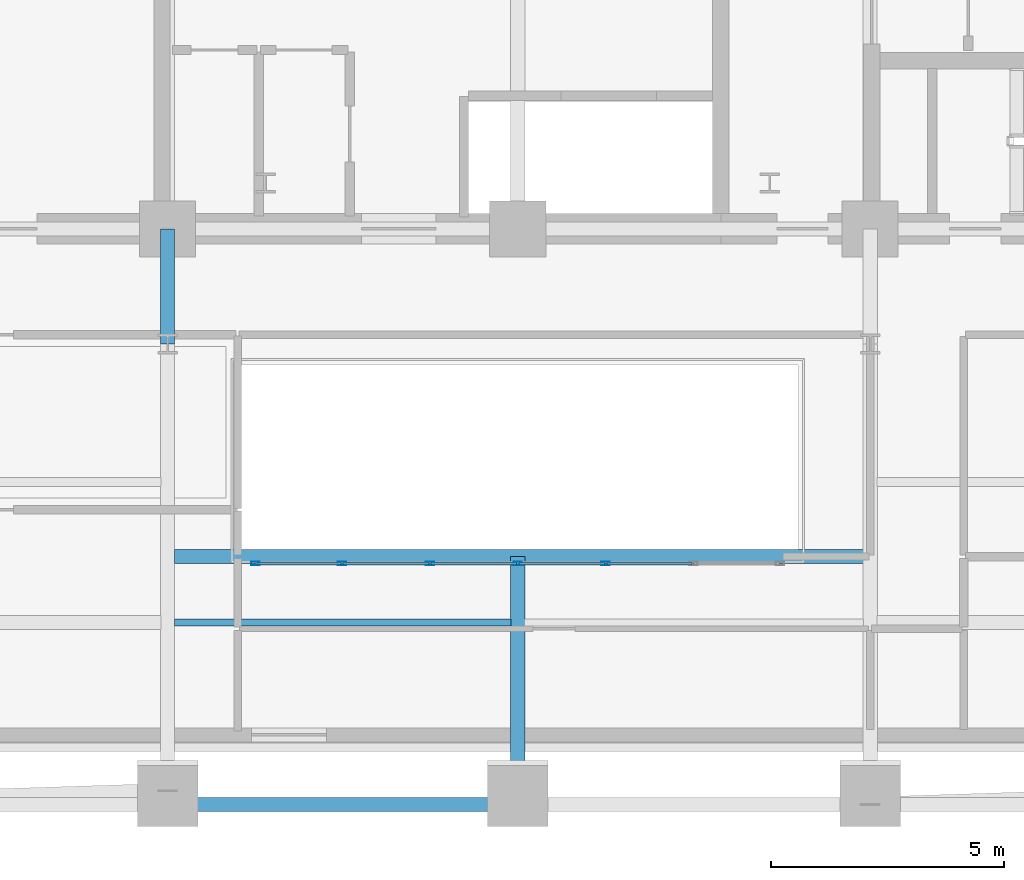
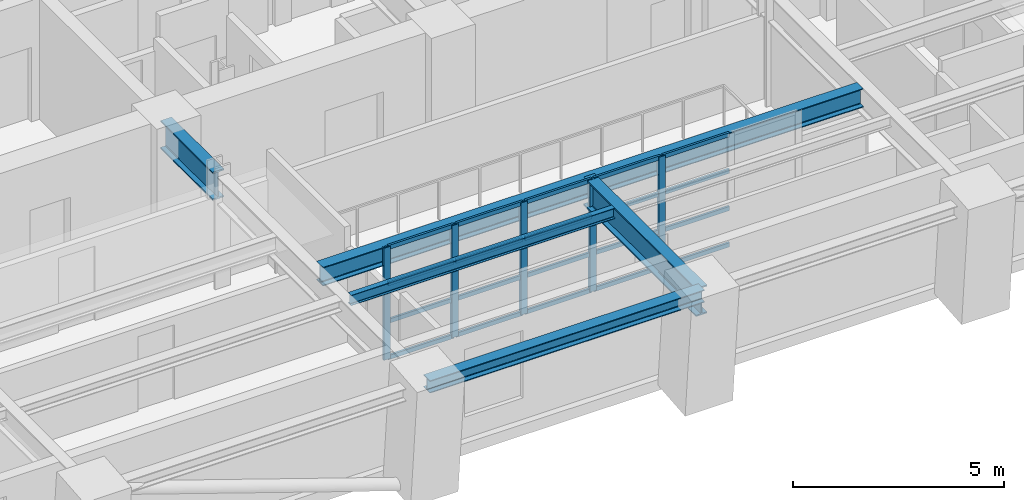
# One storey, part 2 of 15: 25 members, 5 beams, 1 element without a shape of its own.
"""IFC4 building model written with IfcOpenShell, lengths in metres."""

import ifcopenshell
import ifcopenshell.guid

model = None  # the IFC model being written
_history = None  # IfcOwnerHistory: only IFC2X3 demands one
_inside = {}  # id of a spatial element -> (the spatial element, [elements in it])
_under = {}  # id of a project, library or spatial element -> (it, [spatial elements below it])
_declared = {}  # id of a project -> (the project, [libraries it declares])
_typed = {}  # id of a type object -> (the type object, [elements of that type])
_made_of = {}  # id of a material, layer set ... -> (it, [elements and type objects made of it])


def new_model(schema):
    """Start an empty IFC model of exactly this schema.

    Asked for "IFC4X3", IfcOpenShell would pick the latest addendum, in which some entities
    have other attributes; the version numbers below select the first issue.
    IFC2X3 requires an IfcOwnerHistory on every rooted entity: one is made here for all.
    """
    global model, _history
    if schema == "IFC4X3":
        model = ifcopenshell.file(schema_version=(4, 3, 0, 0))
    else:
        model = ifcopenshell.file(schema=schema)
    _inside.clear()
    _under.clear()
    _declared.clear()
    _typed.clear()
    _made_of.clear()
    _history = None
    if model.schema == "IFC2X3":
        org = make("IfcOrganization", Name="unknown")
        user = make(
            "IfcPersonAndOrganization",
            ThePerson=make("IfcPerson", FamilyName="unknown"),
            TheOrganization=org,
        )
        app = make(
            "IfcApplication",
            ApplicationDeveloper=org,
            Version="unknown",
            ApplicationFullName="unknown",
            ApplicationIdentifier="unknown",
        )
        _history = make(
            "IfcOwnerHistory",
            OwningUser=user,
            OwningApplication=app,
            ChangeAction="ADDED",
            CreationDate=0,
        )
    return model


def make(cls, **values):
    """One entity of the class cls with the attributes given. An attribute that is None is left unset."""
    return model.create_entity(
        cls, **{name: value for name, value in values.items() if value is not None}
    )


def rooted(cls, **values):
    """An entity with a GlobalId (a new one), such as an element, a storey or a relation."""
    return make(cls, GlobalId=ifcopenshell.guid.new(), OwnerHistory=_history, **values)


def si_unit(unit_type, name, prefix=None):
    """IfcSIUnit, for example si_unit("LENGTHUNIT", "METRE", prefix="MILLI")."""
    return make("IfcSIUnit", UnitType=unit_type, Prefix=prefix, Name=name)


def assignment(units):
    """IfcUnitAssignment: the units of a project."""
    return None if units is None else make("IfcUnitAssignment", Units=units)


def point(xyz):
    """IfcCartesianPoint."""
    return None if xyz is None else make("IfcCartesianPoint", Coordinates=xyz)


def direction(xyz):
    """IfcDirection."""
    return None if xyz is None else make("IfcDirection", DirectionRatios=xyz)


def frame(location, z_axis=None, x_axis=None):
    """IfcAxis2Placement3D, a coordinate frame: its origin and axes. An axis left out is left unset."""
    return make(
        "IfcAxis2Placement3D",
        Location=point(location),
        Axis=direction(z_axis),
        RefDirection=direction(x_axis),
    )


def frame_2d(location, x_axis=None):
    """IfcAxis2Placement2D, a coordinate frame in the plane: its origin and x axis."""
    return make(
        "IfcAxis2Placement2D", Location=point(location), RefDirection=direction(x_axis)
    )


def origin():
    """The frame at (0, 0, 0) with its axes left unset."""
    return frame((0.0, 0.0, 0.0))


def origin_2d():
    """The frame at (0, 0) in the plane with its x axis left unset."""
    return frame_2d((0.0, 0.0))


def place(relative_to, where):
    """IfcLocalPlacement: puts the frame where relative to a parent placement (None: the world)."""
    return make(
        "IfcLocalPlacement", PlacementRelTo=relative_to, RelativePlacement=where
    )


def context(
    kind, dimensions, precision=None, world=None, true_north=None, identifier=None
):
    """IfcGeometricRepresentationContext, for example the 3D "Model" context."""
    return make(
        "IfcGeometricRepresentationContext",
        ContextIdentifier=identifier,
        ContextType=kind,
        CoordinateSpaceDimension=dimensions,
        Precision=precision,
        WorldCoordinateSystem=world,
        TrueNorth=true_north,
    )


def subcontext(parent, identifier, kind, view, scale=None):
    """IfcGeometricRepresentationSubContext, for example "Body" below "Model"."""
    return make(
        "IfcGeometricRepresentationSubContext",
        ContextIdentifier=identifier,
        ContextType=kind,
        ParentContext=parent,
        TargetScale=scale,
        TargetView=view,
    )


def project(units=None, contexts=None):
    """IfcProject with its units and contexts."""
    return rooted(
        "IfcProject",
        Name="project",
        RepresentationContexts=contexts,
        UnitsInContext=assignment(units),
    )


def spatial(cls, under=None, at=None, **own):
    """A site, building, storey or space (cls), placed at a placement, below another one or the project."""
    s = rooted(cls, ObjectPlacement=at, **own)
    if under is not None:
        _under.setdefault(under.id(), (under, []))[1].append(s)
    return s


def profile(cls, at=None, kind="AREA", **sizes):
    """A parametric profile (cls). Its sizes go by their IFC names, for example OverallWidth=200.0."""
    return make(cls, ProfileType=kind, Position=at, **sizes)


def hollow_rectangle(**sizes):
    """IfcRectangleHollowProfileDef."""
    return profile("IfcRectangleHollowProfileDef", **sizes)


def i_section(**sizes):
    """IfcIShapeProfileDef."""
    return profile("IfcIShapeProfileDef", **sizes)


def extrude(swept, where, along, depth):
    """IfcExtrudedAreaSolid: the profile swept, set in the frame where, extruded along a direction by depth."""
    return make(
        "IfcExtrudedAreaSolid",
        SweptArea=swept,
        Position=where,
        ExtrudedDirection=direction(along),
        Depth=depth,
    )


def shape(context_of_items, identifier, shape_type, items):
    """IfcShapeRepresentation: the items that make up one representation, for example the "Body"."""
    return make(
        "IfcShapeRepresentation",
        ContextOfItems=context_of_items,
        RepresentationIdentifier=identifier,
        RepresentationType=shape_type,
        Items=items,
    )


def material(Name=None, Category=None):
    """IfcMaterial."""
    return make("IfcMaterial", Name=Name, Category=Category)


def layer(
    of_material, thickness, ventilated=None, Name=None, Category=None, Priority=None
):
    """IfcMaterialLayer: one layer of a wall or slab, of a material (None: an air gap)."""
    return make(
        "IfcMaterialLayer",
        Material=of_material,
        LayerThickness=thickness,
        IsVentilated=ventilated,
        Name=Name,
        Category=Category,
        Priority=Priority,
    )


def layer_set(layers, Name=None):
    """IfcMaterialLayerSet."""
    return make("IfcMaterialLayerSet", MaterialLayers=layers, LayerSetName=Name)


def material_profile(
    of_material, cross_section, Name=None, Category=None, Priority=None
):
    """IfcMaterialProfile: a cross section and its material."""
    return make(
        "IfcMaterialProfile",
        Name=Name,
        Material=of_material,
        Profile=cross_section,
        Priority=Priority,
        Category=Category,
    )


def profile_set(profiles, Name=None, composite=None):
    """IfcMaterialProfileSet."""
    return make(
        "IfcMaterialProfileSet",
        Name=Name,
        MaterialProfiles=profiles,
        CompositeProfile=composite,
    )


def made_of(thing, what):
    """Note that an element or type object is made of a material, layer set ...; save() writes the relation."""
    if what is not None:
        _made_of.setdefault(what.id(), (what, []))[1].append(thing)
    return thing


def type_object(cls, material=None, **own):
    """A type object (cls), such as IfcWallType, which elements share."""
    return made_of(rooted(cls, **own), material)


def element(
    cls,
    number,
    at=None,
    inside=None,
    cuts=None,
    type_object=None,
    material=None,
    context=None,
    identifier="Body",
    shape_type=None,
    held_by="IfcProductDefinitionShape",
    body=None,
    shapes=None,
    **own,
):
    """One element of the class cls, such as IfcWall. Its Tag is "e" and its number.

    at: its placement. inside: the storey or other place that contains it. cuts: it is an
    opening in that element (IfcRelVoidsElement). A single representation is given by context,
    identifier, shape_type and body (its items); several are given by shapes. held_by: the class
    of the entity that holds the representations. save() writes the other relations.
    """
    e = rooted(cls, Tag="e%d" % number, ObjectPlacement=at, **own)
    if body is not None:
        shapes = [shape(context, identifier, shape_type, body)]
    if shapes is not None:
        e.Representation = make(held_by, Representations=shapes)
    if inside is not None:
        _inside.setdefault(inside.id(), (inside, []))[1].append(e)
    if cuts is not None:
        rooted(
            "IfcRelVoidsElement", RelatingBuildingElement=cuts, RelatedOpeningElement=e
        )
    if type_object is not None:
        _typed.setdefault(type_object.id(), (type_object, []))[1].append(e)
    return made_of(e, material)


def aggregate(whole, parts):
    """IfcRelAggregates: a whole, such as a stair, and the parts it consists of."""
    return rooted("IfcRelAggregates", RelatingObject=whole, RelatedObjects=parts)


def save(model, path):
    """Write the relations noted so far, then the file.

    IfcRelAggregates (storeys below a building ...), IfcRelContainedInSpatialStructure (elements
    in a storey), IfcRelDefinesByType, IfcRelAssociatesMaterial and IfcRelDeclares: one each for
    every whole, place, type object, material and project.
    """
    for whole, parts in _under.values():
        aggregate(whole, parts)
    for where, things in _inside.values():
        rooted(
            "IfcRelContainedInSpatialStructure",
            RelatedElements=things,
            RelatingStructure=where,
        )
    for kind, things in _typed.values():
        rooted("IfcRelDefinesByType", RelatedObjects=things, RelatingType=kind)
    for what, things in _made_of.values():
        rooted("IfcRelAssociatesMaterial", RelatedObjects=things, RelatingMaterial=what)
    for by, libraries in _declared.values():
        rooted("IfcRelDeclares", RelatingContext=by, RelatedDefinitions=libraries)
    model.write(path)


model = new_model("IFC4")

# Units and contexts
model_context = context("Model", 3, precision=1e-05, world=origin(), true_north=direction((0.0, 1.0)))
body_context = subcontext(model_context, "Body", "Model", "MODEL_VIEW")
ifc_project = project(units=[si_unit("LENGTHUNIT", "METRE"), si_unit("AREAUNIT", "SQUARE_METRE"), si_unit("VOLUMEUNIT", "CUBIC_METRE"), si_unit("PLANEANGLEUNIT", "RADIAN"), si_unit("MASSUNIT", "GRAM", prefix="KILO")], contexts=[model_context])

# Site, building, storey
site_placement = place(None, origin())
site = spatial("IfcSite", under=ifc_project, at=site_placement, CompositionType="ELEMENT")
building_placement = place(site_placement, origin())
building = spatial("IfcBuilding", under=site, at=building_placement, Name="Zarnavel Station Tower", CompositionType="ELEMENT")
storey_placement = place(building_placement, frame((0.0, 0.0, 115.300048828125)))
storey = spatial("IfcBuildingStorey", under=building, at=storey_placement, Name="L31", CompositionType="ELEMENT", Elevation=115.300048828125)

# Curtain wall, members
ifc_material_1 = material(Name="Aluminium Dark Anodised and Solar-Control Glass", Category="aluminium")
ifc_layer = layer(ifc_material_1, 0.179931640625)
ifc_layer_set = layer_set([ifc_layer], Name="CWS3")
curtain_wall_type = type_object("IfcCurtainWallType", Name="CWS3", PredefinedType="NOTDEFINED", material=ifc_layer_set)
curtain_wall_placement = place(storey_placement, origin())
curtain_wall = element("IfcCurtainWall", 1, at=curtain_wall_placement, inside=storey, type_object=curtain_wall_type, Name="L31 Curtain Wall CWS3-L31-AS", PredefinedType="NOTDEFINED")
ifc_material_2 = material(Name="Steel S355J2 (Black Fluoropolymer Coated)", Category="steel")
ifc_material_profile_1 = material_profile(ifc_material_2, hollow_rectangle(XDim=0.080078125, YDim=0.179931640625, WallThickness=0.00634765625, at=origin_2d()), Name="RHS180x80x6.3")
ifc_profile_set_1 = profile_set([ifc_material_profile_1], Name="Steel S355J2 (Black Fluoropolymer Coated)")
member_type_1 = type_object("IfcMemberType", Name="CWS3_MUL", PredefinedType="MULLION", material=ifc_profile_set_1)
member_1_placement = place(storey_placement, frame((23.179931640625, 20.64990234375, 0.0), z_axis=(0.0, 0.0, 1.0), x_axis=(0.0, 1.0, 0.0)))
member_1 = element("IfcMember", 2, at=member_1_placement, type_object=member_type_1, Name="CW3 mullion 1", PredefinedType="MULLION", context=body_context, shape_type="SweptSolid", body=[
    extrude(hollow_rectangle(XDim=0.080078125, YDim=0.179931640625, WallThickness=0.00634765625, at=origin_2d()), origin(), (0.0, 0.0, 1.0), 3.239990234375),
])
member_2_placement = place(storey_placement, frame((25.033447265625, 20.64990234375, 0.0), z_axis=(0.0, 0.0, 1.0), x_axis=(0.0, 1.0, 0.0)))
member_2 = element("IfcMember", 3, at=member_2_placement, type_object=member_type_1, Name="CW3 mullion 2", PredefinedType="MULLION", context=body_context, shape_type="SweptSolid", body=[
    extrude(hollow_rectangle(XDim=0.080078125, YDim=0.179931640625, WallThickness=0.00634765625, at=origin_2d()), origin(), (0.0, 0.0, 1.0), 3.239990234375),
])
member_3_placement = place(storey_placement, frame((26.916748046875, 20.64990234375, 0.0), z_axis=(0.0, 0.0, 1.0), x_axis=(0.0, 1.0, 0.0)))
member_3 = element("IfcMember", 4, at=member_3_placement, type_object=member_type_1, Name="CW3 mullion 3", PredefinedType="MULLION", context=body_context, shape_type="SweptSolid", body=[
    extrude(hollow_rectangle(XDim=0.080078125, YDim=0.179931640625, WallThickness=0.00634765625, at=origin_2d()), origin(), (0.0, 0.0, 1.0), 3.239990234375),
])
member_4_placement = place(storey_placement, frame((28.800048828125, 20.64990234375, 0.0), z_axis=(0.0, 0.0, 1.0), x_axis=(0.0, 1.0, 0.0)))
member_4 = element("IfcMember", 5, at=member_4_placement, type_object=member_type_1, Name="CW3 mullion 4", PredefinedType="MULLION", context=body_context, shape_type="SweptSolid", body=[
    extrude(hollow_rectangle(XDim=0.080078125, YDim=0.179931640625, WallThickness=0.00634765625, at=origin_2d()), origin(), (0.0, 0.0, 1.0), 3.239990234375),
])
member_5_placement = place(storey_placement, frame((30.683349609375, 20.64990234375, 0.0), z_axis=(0.0, 0.0, 1.0), x_axis=(0.0, 1.0, 0.0)))
member_5 = element("IfcMember", 6, at=member_5_placement, type_object=member_type_1, Name="CW3 mullion 5", PredefinedType="MULLION", context=body_context, shape_type="SweptSolid", body=[
    extrude(hollow_rectangle(XDim=0.080078125, YDim=0.179931640625, WallThickness=0.00634765625, at=origin_2d()), origin(), (0.0, 0.0, 1.0), 3.239990234375),
])
ifc_material_3 = material(Name="Steel S355J2 (Black Fluoropolymer Coated)", Category="steel")
ifc_material_profile_2 = material_profile(ifc_material_3, hollow_rectangle(XDim=0.06005859375, YDim=0.1201171875, WallThickness=0.0048828125, at=origin_2d()), Name="RHS120x60x5")
ifc_profile_set_2 = profile_set([ifc_material_profile_2], Name="Steel S355J2 (Black Fluoropolymer Coated)")
member_type_2 = type_object("IfcMemberType", Name="CWS3_TRN", PredefinedType="USERDEFINED", material=ifc_profile_set_2)
member_6_placement = place(storey_placement, frame((23.2099609375, 20.64990234375, 0.030029296875), z_axis=(1.0, 0.0, 0.0), x_axis=(0.0, 1.0, 0.0)))
member_6 = element("IfcMember", 7, at=member_6_placement, type_object=member_type_2, Name="CW3 transom 1.1", ObjectType="TRANSOM", PredefinedType="USERDEFINED", context=body_context, shape_type="SweptSolid", body=[
    extrude(hollow_rectangle(XDim=0.06005859375, YDim=0.1201171875, WallThickness=0.0048828125, at=origin_2d()), origin(), (0.0, 0.0, 1.0), 1.79345703125),
])
member_7_placement = place(storey_placement, frame((23.2099609375, 20.64990234375, 1.079833984375), z_axis=(1.0, 0.0, 0.0), x_axis=(0.0, 1.0, 0.0)))
member_7 = element("IfcMember", 8, at=member_7_placement, type_object=member_type_2, Name="CW3 transom 1.2", ObjectType="TRANSOM", PredefinedType="USERDEFINED", context=body_context, shape_type="SweptSolid", body=[
    extrude(hollow_rectangle(XDim=0.06005859375, YDim=0.1201171875, WallThickness=0.0048828125, at=origin_2d()), origin(), (0.0, 0.0, 1.0), 1.79345703125),
])
member_8_placement = place(storey_placement, frame((23.2099609375, 20.64990234375, 2.159912109375), z_axis=(1.0, 0.0, 0.0), x_axis=(0.0, 1.0, 0.0)))
member_8 = element("IfcMember", 9, at=member_8_placement, type_object=member_type_2, Name="CW3 transom 1.3", ObjectType="TRANSOM", PredefinedType="USERDEFINED", context=body_context, shape_type="SweptSolid", body=[
    extrude(hollow_rectangle(XDim=0.06005859375, YDim=0.1201171875, WallThickness=0.0048828125, at=origin_2d()), origin(), (0.0, 0.0, 1.0), 1.79345703125),
])
member_9_placement = place(storey_placement, frame((23.2099609375, 20.64990234375, 3.2099609375), z_axis=(1.0, 0.0, 0.0), x_axis=(0.0, 1.0, 0.0)))
member_9 = element("IfcMember", 10, at=member_9_placement, type_object=member_type_2, Name="CW3 transom 1.4", ObjectType="TRANSOM", PredefinedType="USERDEFINED", context=body_context, shape_type="SweptSolid", body=[
    extrude(hollow_rectangle(XDim=0.06005859375, YDim=0.1201171875, WallThickness=0.0048828125, at=origin_2d()), origin(), (0.0, 0.0, 1.0), 1.79345703125),
])
member_10_placement = place(storey_placement, frame((25.063232421875, 20.64990234375, 0.030029296875), z_axis=(1.0, 0.0, 0.0), x_axis=(0.0, 1.0, 0.0)))
member_10 = element("IfcMember", 11, at=member_10_placement, type_object=member_type_2, Name="CW3 transom 2.1", ObjectType="TRANSOM", PredefinedType="USERDEFINED", context=body_context, shape_type="SweptSolid", body=[
    extrude(hollow_rectangle(XDim=0.06005859375, YDim=0.1201171875, WallThickness=0.0048828125, at=origin_2d()), origin(), (0.0, 0.0, 1.0), 1.823486328125),
])
member_11_placement = place(storey_placement, frame((25.063232421875, 20.64990234375, 1.079833984375), z_axis=(1.0, 0.0, 0.0), x_axis=(0.0, 1.0, 0.0)))
member_11 = element("IfcMember", 12, at=member_11_placement, type_object=member_type_2, Name="CW3 transom 2.2", ObjectType="TRANSOM", PredefinedType="USERDEFINED", context=body_context, shape_type="SweptSolid", body=[
    extrude(hollow_rectangle(XDim=0.06005859375, YDim=0.1201171875, WallThickness=0.0048828125, at=origin_2d()), origin(), (0.0, 0.0, 1.0), 1.823486328125),
])
member_12_placement = place(storey_placement, frame((25.063232421875, 20.64990234375, 2.159912109375), z_axis=(1.0, 0.0, 0.0), x_axis=(0.0, 1.0, 0.0)))
member_12 = element("IfcMember", 13, at=member_12_placement, type_object=member_type_2, Name="CW3 transom 2.3", ObjectType="TRANSOM", PredefinedType="USERDEFINED", context=body_context, shape_type="SweptSolid", body=[
    extrude(hollow_rectangle(XDim=0.06005859375, YDim=0.1201171875, WallThickness=0.0048828125, at=origin_2d()), origin(), (0.0, 0.0, 1.0), 1.823486328125),
])
member_13_placement = place(storey_placement, frame((25.063232421875, 20.64990234375, 3.2099609375), z_axis=(1.0, 0.0, 0.0), x_axis=(0.0, 1.0, 0.0)))
member_13 = element("IfcMember", 14, at=member_13_placement, type_object=member_type_2, Name="CW3 transom 2.4", ObjectType="TRANSOM", PredefinedType="USERDEFINED", context=body_context, shape_type="SweptSolid", body=[
    extrude(hollow_rectangle(XDim=0.06005859375, YDim=0.1201171875, WallThickness=0.0048828125, at=origin_2d()), origin(), (0.0, 0.0, 1.0), 1.823486328125),
])
member_14_placement = place(storey_placement, frame((26.94677734375, 20.64990234375, 0.030029296875), z_axis=(1.0, 0.0, 0.0), x_axis=(0.0, 1.0, 0.0)))
member_14 = element("IfcMember", 15, at=member_14_placement, type_object=member_type_2, Name="CW3 transom 3.1", ObjectType="TRANSOM", PredefinedType="USERDEFINED", context=body_context, shape_type="SweptSolid", body=[
    extrude(hollow_rectangle(XDim=0.06005859375, YDim=0.1201171875, WallThickness=0.0048828125, at=origin_2d()), origin(), (0.0, 0.0, 1.0), 1.8232421875),
])
member_15_placement = place(storey_placement, frame((26.94677734375, 20.64990234375, 1.079833984375), z_axis=(1.0, 0.0, 0.0), x_axis=(0.0, 1.0, 0.0)))
member_15 = element("IfcMember", 16, at=member_15_placement, type_object=member_type_2, Name="CW3 transom 3.2", ObjectType="TRANSOM", PredefinedType="USERDEFINED", context=body_context, shape_type="SweptSolid", body=[
    extrude(hollow_rectangle(XDim=0.06005859375, YDim=0.1201171875, WallThickness=0.0048828125, at=origin_2d()), origin(), (0.0, 0.0, 1.0), 1.8232421875),
])
member_16_placement = place(storey_placement, frame((26.94677734375, 20.64990234375, 2.159912109375), z_axis=(1.0, 0.0, 0.0), x_axis=(0.0, 1.0, 0.0)))
member_16 = element("IfcMember", 17, at=member_16_placement, type_object=member_type_2, Name="CW3 transom 3.3", ObjectType="TRANSOM", PredefinedType="USERDEFINED", context=body_context, shape_type="SweptSolid", body=[
    extrude(hollow_rectangle(XDim=0.06005859375, YDim=0.1201171875, WallThickness=0.0048828125, at=origin_2d()), origin(), (0.0, 0.0, 1.0), 1.8232421875),
])
member_17_placement = place(storey_placement, frame((26.94677734375, 20.64990234375, 3.2099609375), z_axis=(1.0, 0.0, 0.0), x_axis=(0.0, 1.0, 0.0)))
member_17 = element("IfcMember", 18, at=member_17_placement, type_object=member_type_2, Name="CW3 transom 3.4", ObjectType="TRANSOM", PredefinedType="USERDEFINED", context=body_context, shape_type="SweptSolid", body=[
    extrude(hollow_rectangle(XDim=0.06005859375, YDim=0.1201171875, WallThickness=0.0048828125, at=origin_2d()), origin(), (0.0, 0.0, 1.0), 1.8232421875),
])
member_18_placement = place(storey_placement, frame((28.830078125, 20.64990234375, 0.030029296875), z_axis=(1.0, 0.0, 0.0), x_axis=(0.0, 1.0, 0.0)))
member_18 = element("IfcMember", 19, at=member_18_placement, type_object=member_type_2, Name="CW3 transom 4.1", ObjectType="TRANSOM", PredefinedType="USERDEFINED", context=body_context, shape_type="SweptSolid", body=[
    extrude(hollow_rectangle(XDim=0.06005859375, YDim=0.1201171875, WallThickness=0.0048828125, at=origin_2d()), origin(), (0.0, 0.0, 1.0), 1.8232421875),
])
member_19_placement = place(storey_placement, frame((28.830078125, 20.64990234375, 1.079833984375), z_axis=(1.0, 0.0, 0.0), x_axis=(0.0, 1.0, 0.0)))
member_19 = element("IfcMember", 20, at=member_19_placement, type_object=member_type_2, Name="CW3 transom 4.2", ObjectType="TRANSOM", PredefinedType="USERDEFINED", context=body_context, shape_type="SweptSolid", body=[
    extrude(hollow_rectangle(XDim=0.06005859375, YDim=0.1201171875, WallThickness=0.0048828125, at=origin_2d()), origin(), (0.0, 0.0, 1.0), 1.8232421875),
])
member_20_placement = place(storey_placement, frame((28.830078125, 20.64990234375, 2.159912109375), z_axis=(1.0, 0.0, 0.0), x_axis=(0.0, 1.0, 0.0)))
member_20 = element("IfcMember", 21, at=member_20_placement, type_object=member_type_2, Name="CW3 transom 4.3", ObjectType="TRANSOM", PredefinedType="USERDEFINED", context=body_context, shape_type="SweptSolid", body=[
    extrude(hollow_rectangle(XDim=0.06005859375, YDim=0.1201171875, WallThickness=0.0048828125, at=origin_2d()), origin(), (0.0, 0.0, 1.0), 1.8232421875),
])
member_21_placement = place(storey_placement, frame((28.830078125, 20.64990234375, 3.2099609375), z_axis=(1.0, 0.0, 0.0), x_axis=(0.0, 1.0, 0.0)))
member_21 = element("IfcMember", 22, at=member_21_placement, type_object=member_type_2, Name="CW3 transom 4.4", ObjectType="TRANSOM", PredefinedType="USERDEFINED", context=body_context, shape_type="SweptSolid", body=[
    extrude(hollow_rectangle(XDim=0.06005859375, YDim=0.1201171875, WallThickness=0.0048828125, at=origin_2d()), origin(), (0.0, 0.0, 1.0), 1.8232421875),
])
member_22_placement = place(storey_placement, frame((30.71337890625, 20.64990234375, 0.030029296875), z_axis=(1.0, 0.0, 0.0), x_axis=(0.0, 1.0, 0.0)))
member_22 = element("IfcMember", 23, at=member_22_placement, type_object=member_type_2, Name="CW3 transom 5.1", ObjectType="TRANSOM", PredefinedType="USERDEFINED", context=body_context, shape_type="SweptSolid", body=[
    extrude(hollow_rectangle(XDim=0.06005859375, YDim=0.1201171875, WallThickness=0.0048828125, at=origin_2d()), origin(), (0.0, 0.0, 1.0), 1.8232421875),
])
member_23_placement = place(storey_placement, frame((30.71337890625, 20.64990234375, 1.079833984375), z_axis=(1.0, 0.0, 0.0), x_axis=(0.0, 1.0, 0.0)))
member_23 = element("IfcMember", 24, at=member_23_placement, type_object=member_type_2, Name="CW3 transom 5.2", ObjectType="TRANSOM", PredefinedType="USERDEFINED", context=body_context, shape_type="SweptSolid", body=[
    extrude(hollow_rectangle(XDim=0.06005859375, YDim=0.1201171875, WallThickness=0.0048828125, at=origin_2d()), origin(), (0.0, 0.0, 1.0), 1.8232421875),
])
member_24_placement = place(storey_placement, frame((30.71337890625, 20.64990234375, 2.159912109375), z_axis=(1.0, 0.0, 0.0), x_axis=(0.0, 1.0, 0.0)))
member_24 = element("IfcMember", 25, at=member_24_placement, type_object=member_type_2, Name="CW3 transom 5.3", ObjectType="TRANSOM", PredefinedType="USERDEFINED", context=body_context, shape_type="SweptSolid", body=[
    extrude(hollow_rectangle(XDim=0.06005859375, YDim=0.1201171875, WallThickness=0.0048828125, at=origin_2d()), origin(), (0.0, 0.0, 1.0), 1.8232421875),
])
member_25_placement = place(storey_placement, frame((30.71337890625, 20.64990234375, 3.2099609375), z_axis=(1.0, 0.0, 0.0), x_axis=(0.0, 1.0, 0.0)))
member_25 = element("IfcMember", 26, at=member_25_placement, type_object=member_type_2, Name="CW3 transom 5.4", ObjectType="TRANSOM", PredefinedType="USERDEFINED", context=body_context, shape_type="SweptSolid", body=[
    extrude(hollow_rectangle(XDim=0.06005859375, YDim=0.1201171875, WallThickness=0.0048828125, at=origin_2d()), origin(), (0.0, 0.0, 1.0), 1.8232421875),
])
aggregate(curtain_wall, [member_1, member_2, member_3, member_4, member_5, member_6, member_7, member_8, member_9, member_10, member_11, member_12, member_13, member_14, member_15, member_16, member_17, member_18, member_19, member_20, member_21, member_22, member_23, member_24, member_25])

# Beams
ifc_material_4 = material(Name="Steel S355J2", Category="steel")
ifc_material_profile_3 = material_profile(ifc_material_4, i_section(OverallWidth=0.300048828125, OverallDepth=0.360107421875, WebThickness=0.012451171875, FlangeThickness=0.0224609375, FilletRadius=0.027099609375, at=origin_2d()), Name="HEB360")
ifc_profile_set_3 = profile_set([ifc_material_profile_3], Name="Steel S355J2")
beam_type_1 = type_object("IfcBeamType", Name="EB_HEB360", PredefinedType="SPANDREL", material=ifc_profile_set_3)
beam_1_placement = place(storey_placement, frame((21.300048828125, 15.48583984375, 3.06005859375), z_axis=(1.0, 0.0, 0.0), x_axis=(0.0, 1.0, 0.0)))
element("IfcBeam", 27, at=beam_1_placement, inside=storey, type_object=beam_type_1, Name="L31 South Raked Spandrel 2", PredefinedType="SPANDREL", context=body_context, shape_type="SweptSolid", body=[
    extrude(i_section(OverallWidth=0.300048828125, OverallDepth=0.360107421875, WebThickness=0.012451171875, FlangeThickness=0.0224609375, FilletRadius=0.027099609375, at=origin_2d()), origin(), (0.0, 0.0, 1.0), 7.5),
])
ifc_material_5 = material(Name="Steel S355J2", Category="steel")
ifc_material_profile_4 = material_profile(ifc_material_5, i_section(OverallWidth=0.300048828125, OverallDepth=0.5400390625, WebThickness=0.012451171875, FlangeThickness=0.02392578125, FilletRadius=0.027099609375, at=origin_2d()), Name="HEA550")
ifc_profile_set_4 = profile_set([ifc_material_profile_4], Name="Steel S355J2")
beam_type_2 = type_object("IfcBeamType", Name="FB_HEA550", PredefinedType="BEAM", material=ifc_profile_set_4)
beam_2_placement = place(storey_placement, frame((21.445068359375, 20.800048828125, 2.969970703125), z_axis=(1.0, 0.0, 0.0), x_axis=(0.0, 1.0, 0.0)))
element("IfcBeam", 28, at=beam_2_placement, inside=storey, type_object=beam_type_2, Name="L31 Atrium South Edge Girder", PredefinedType="BEAM", context=body_context, shape_type="SweptSolid", body=[
    extrude(i_section(OverallWidth=0.300048828125, OverallDepth=0.5400390625, WebThickness=0.012451171875, FlangeThickness=0.02392578125, FilletRadius=0.027099609375, at=origin_2d()), origin(), (0.0, 0.0, 1.0), 14.760009765625),
])
ifc_material_6 = material(Name="Steel S460M", Category="steel")
ifc_material_profile_5 = material_profile(ifc_material_6, i_section(OverallWidth=0.302978515625, OverallDepth=0.81396484375, WebThickness=0.02099609375, FlangeThickness=0.0400390625, FilletRadius=0.030029296875, at=origin_2d()), Name="HEM800")
ifc_profile_set_5 = profile_set([ifc_material_profile_5], Name="Steel S460M")
beam_type_3 = type_object("IfcBeamType", Name="FG_HEM800", PredefinedType="USERDEFINED", material=ifc_profile_set_5)
beam_3_placement = place(storey_placement, frame((21.300048828125, 25.35009765625, 2.8330078125), z_axis=(0.0, 1.0, 0.0), x_axis=(-1.0, 0.0, 0.0)))
element("IfcBeam", 29, at=beam_3_placement, inside=storey, type_object=beam_type_3, Name="L31 Inner-Zone NS Girder 2", ObjectType="GIRDER", PredefinedType="USERDEFINED", context=body_context, shape_type="SweptSolid", body=[
    extrude(i_section(OverallWidth=0.302978515625, OverallDepth=0.81396484375, WebThickness=0.02099609375, FlangeThickness=0.0400390625, FilletRadius=0.030029296875, at=origin_2d()), origin(), (0.0, 0.0, 1.0), 2.469970703125),
])
beam_4_placement = place(storey_placement, frame((28.800048828125, 15.48583984375, 2.8330078125), z_axis=(0.0, 1.0, 0.0), x_axis=(-1.0, 0.0, 0.0)))
element("IfcBeam", 30, at=beam_4_placement, inside=storey, type_object=beam_type_3, Name="L31 Central Atrium-South Girder", ObjectType="GIRDER", PredefinedType="USERDEFINED", context=body_context, shape_type="SweptSolid", body=[
    extrude(i_section(OverallWidth=0.302978515625, OverallDepth=0.81396484375, WebThickness=0.02099609375, FlangeThickness=0.0400390625, FilletRadius=0.030029296875, at=origin_2d()), origin(), (0.0, 0.0, 1.0), 5.314208984375),
])
ifc_material_7 = material(Name="Steel S355J2", Category="steel")
ifc_material_profile_6 = material_profile(ifc_material_7, i_section(OverallWidth=0.14990234375, OverallDepth=0.300048828125, WebThickness=0.007080078125, FlangeThickness=0.0107421875, FilletRadius=0.014892578125, at=origin_2d()), Name="IPE300")
ifc_profile_set_6 = profile_set([ifc_material_profile_6], Name="Steel S355J2")
beam_type_4 = type_object("IfcBeamType", Name="FJ_IPE300", PredefinedType="JOIST", material=ifc_profile_set_6)
beam_5_placement = place(storey_placement, frame((21.445068359375, 19.390625, 3.08984375), z_axis=(1.0, 0.0, 0.0), x_axis=(0.0, 1.0, 0.0)))
element("IfcBeam", 31, at=beam_5_placement, inside=storey, type_object=beam_type_4, Name="L31 Mid-West Joist 1", PredefinedType="JOIST", context=body_context, shape_type="SweptSolid", body=[
    extrude(i_section(OverallWidth=0.14990234375, OverallDepth=0.300048828125, WebThickness=0.007080078125, FlangeThickness=0.0107421875, FilletRadius=0.014892578125, at=origin_2d()), origin(), (0.0, 0.0, 1.0), 7.2099609375),
])

save(model, "model.ifc")
